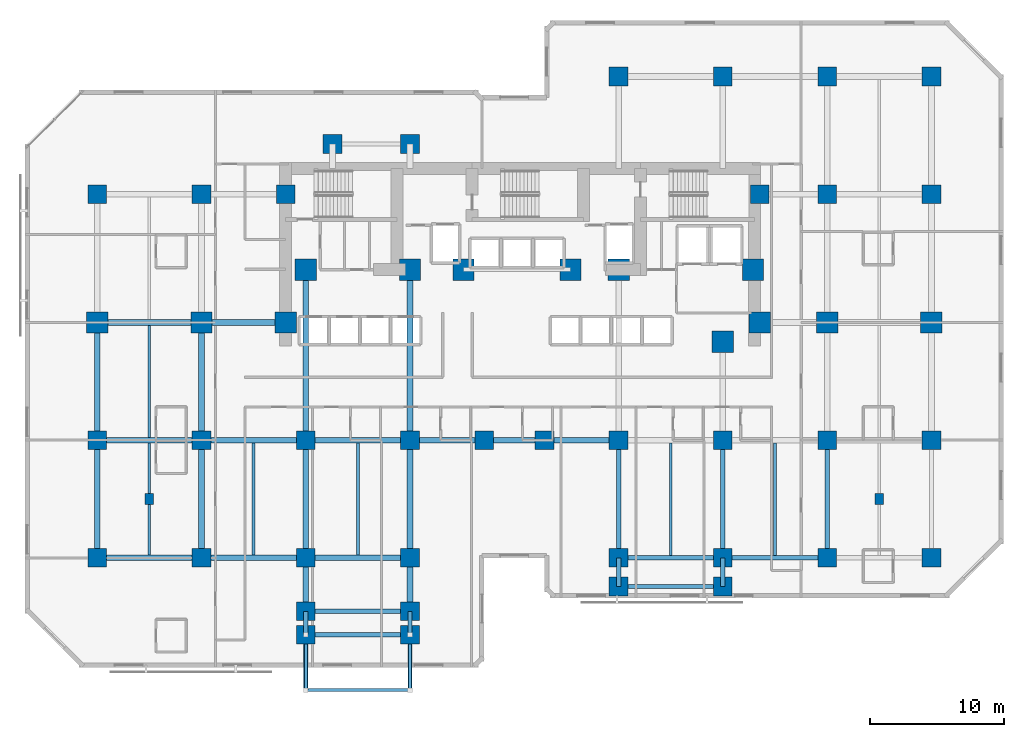
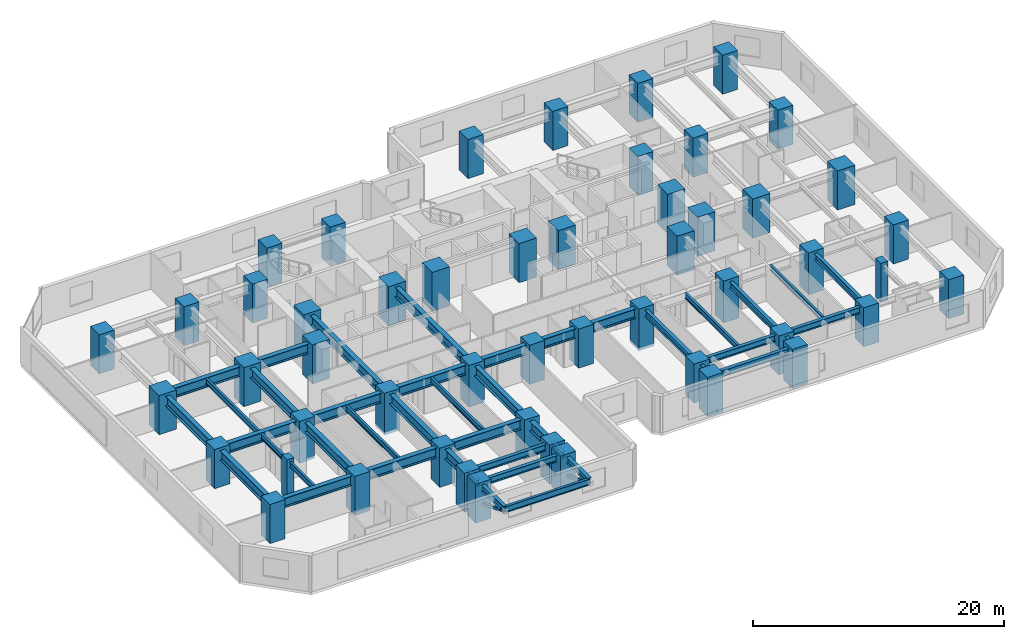
# One storey, part 1 of 12: 51 columns, 42 beams, 2 members.
"""IFC4 building model written with IfcOpenShell, lengths in metres."""

from ifc_helpers import new_model, si_unit, direction, frame, origin, origin_2d, place, context, subcontext, project, spatial, rectangle, hollow_rectangle, i_section, extrude, material, material_profile, profile_set, type_object, element, save


model = new_model("IFC4")

# Units and contexts
model_context = context("Model", 3, precision=1e-05, world=origin(), true_north=direction((0.0, 1.0)))
body_context = subcontext(model_context, "Body", "Model", "MODEL_VIEW")
ifc_project = project(units=[si_unit("LENGTHUNIT", "METRE"), si_unit("AREAUNIT", "SQUARE_METRE"), si_unit("VOLUMEUNIT", "CUBIC_METRE"), si_unit("PLANEANGLEUNIT", "RADIAN"), si_unit("MASSUNIT", "GRAM", prefix="KILO")], contexts=[model_context])

# Site, building, storey
site_placement = place(None, origin())
site = spatial("IfcSite", under=ifc_project, at=site_placement, CompositionType="ELEMENT")
building_placement = place(site_placement, origin())
building = spatial("IfcBuilding", under=site, at=building_placement, Name="Kestravale Grand Hotel", CompositionType="ELEMENT")
storey_placement = place(building_placement, frame((0.0, 0.0, 26.0)))
storey = spatial("IfcBuildingStorey", under=building, at=storey_placement, Name="L05", CompositionType="ELEMENT", Elevation=26.0)

# Columns
ifc_material_1 = material(Name="Concrete f'c 70 MPa", Category="concrete")
ifc_material_profile_1 = material_profile(ifc_material_1, rectangle(XDim=1.39990234375, YDim=1.39990234375, at=origin_2d()))
ifc_profile_set_1 = profile_set([ifc_material_profile_1], Name="Concrete f'c 70 MPa")
column_type_1 = type_object("IfcColumnType", Name="C-Z1-1400", PredefinedType="COLUMN", material=ifc_profile_set_1)
for number, where, z_axis, x_axis, name in (
    (1, (7.800048828125, 11.199951171875, 0.0), (0.0, 0.0, 1.0), (1.0, 0.0, 0.0), "L05 column 2-C"),
    (2, (7.800048828125, 20.0, 0.0), (0.0, 0.0, 1.0), (1.0, 0.0, 0.0), "L05 column 2-D"),
    (3, (7.800048828125, 38.39990234375, 0.0), (0.0, 0.0, 1.0), (1.0, 0.0, 0.0), "L05 column 2-F"),
    (4, (15.60009765625, 11.199951171875, 0.0), (0.0, 0.0, 1.0), (1.0, 0.0, 0.0), "L05 column 3-C"),
):
    element("IfcColumn", number, at=place(storey_placement, frame(where, z_axis=z_axis, x_axis=x_axis)), inside=storey, type_object=column_type_1, Name=name, PredefinedType="COLUMN", context=body_context, shape_type="SweptSolid", body=[
        extrude(rectangle(XDim=1.39990234375, YDim=1.39990234375, at=origin_2d()), origin(), (0.0, 0.0, 1.0), 3.800048828125),
    ])
column_1_placement = place(storey_placement, frame((15.60009765625, 20.0, -0.260009765625), z_axis=(0.0, 0.0, 1.0), x_axis=(1.0, 0.0, 0.0)))
element("IfcColumn", 5, at=column_1_placement, inside=storey, type_object=column_type_1, Name="L05 column 3-D", PredefinedType="COLUMN", context=body_context, shape_type="SweptSolid", body=[
    extrude(rectangle(XDim=1.39990234375, YDim=1.39990234375, at=origin_2d()), origin(), (0.0, 0.0, 1.0), 4.06005859375),
])
for number, where, z_axis, x_axis, name in (
    (6, (15.60009765625, 38.39990234375, 0.0), (0.0, 0.0, 1.0), (1.0, 0.0, 0.0), "L05 column 3-F"),
    (7, (23.39990234375, 11.199951171875, 0.0), (0.0, 0.0, 1.0), (1.0, 0.0, 0.0), "L05 column 4-C"),
):
    element("IfcColumn", number, at=place(storey_placement, frame(where, z_axis=z_axis, x_axis=x_axis)), inside=storey, type_object=column_type_1, Name=name, PredefinedType="COLUMN", context=body_context, shape_type="SweptSolid", body=[
        extrude(rectangle(XDim=1.39990234375, YDim=1.39990234375, at=origin_2d()), origin(), (0.0, 0.0, 1.0), 3.800048828125),
    ])
column_2_placement = place(storey_placement, frame((23.39990234375, 20.0, -0.260009765625), z_axis=(0.0, 0.0, 1.0), x_axis=(1.0, 0.0, 0.0)))
element("IfcColumn", 8, at=column_2_placement, inside=storey, type_object=column_type_1, Name="L05 column 4-D", PredefinedType="COLUMN", context=body_context, shape_type="SweptSolid", body=[
    extrude(rectangle(XDim=1.39990234375, YDim=1.39990234375, at=origin_2d()), origin(), (0.0, 0.0, 1.0), 4.06005859375),
])
column_3_placement = place(storey_placement, frame((31.199951171875, 11.199951171875, 0.0), z_axis=(0.0, 0.0, 1.0), x_axis=(1.0, 0.0, 0.0)))
element("IfcColumn", 9, at=column_3_placement, inside=storey, type_object=column_type_1, Name="L05 column 5-C", PredefinedType="COLUMN", context=body_context, shape_type="SweptSolid", body=[
    extrude(rectangle(XDim=1.39990234375, YDim=1.39990234375, at=origin_2d()), origin(), (0.0, 0.0, 1.0), 3.800048828125),
])
column_4_placement = place(storey_placement, frame((31.199951171875, 20.0, -0.260009765625), z_axis=(0.0, 0.0, 1.0), x_axis=(1.0, 0.0, 0.0)))
element("IfcColumn", 10, at=column_4_placement, inside=storey, type_object=column_type_1, Name="L05 column 5-D", PredefinedType="COLUMN", context=body_context, shape_type="SweptSolid", body=[
    extrude(rectangle(XDim=1.39990234375, YDim=1.39990234375, at=origin_2d()), origin(), (0.0, 0.0, 1.0), 4.06005859375),
])
for number, where, z_axis, x_axis, name in (
    (11, (36.75, 20.0, 0.0), (0.0, 0.0, 1.0), (1.0, 0.0, 0.0), "L05 column 6-D"),
    (12, (41.25, 20.0, 0.0), (0.0, 0.0, 1.0), (1.0, 0.0, 0.0), "L05 column 7-D"),
    (13, (46.800048828125, 11.199951171875, 0.0), (0.0, 0.0, 1.0), (1.0, 0.0, 0.0), "L05 column 8-C"),
):
    element("IfcColumn", number, at=place(storey_placement, frame(where, z_axis=z_axis, x_axis=x_axis)), inside=storey, type_object=column_type_1, Name=name, PredefinedType="COLUMN", context=body_context, shape_type="SweptSolid", body=[
        extrude(rectangle(XDim=1.39990234375, YDim=1.39990234375, at=origin_2d()), origin(), (0.0, 0.0, 1.0), 3.800048828125),
    ])
column_5_placement = place(storey_placement, frame((46.800048828125, 20.0, -0.260009765625), z_axis=(0.0, 0.0, 1.0), x_axis=(1.0, 0.0, 0.0)))
element("IfcColumn", 14, at=column_5_placement, inside=storey, type_object=column_type_1, Name="L05 column 8-D", PredefinedType="COLUMN", context=body_context, shape_type="SweptSolid", body=[
    extrude(rectangle(XDim=1.39990234375, YDim=1.39990234375, at=origin_2d()), origin(), (0.0, 0.0, 1.0), 4.06005859375),
])
for number, where, z_axis, x_axis, name in (
    (15, (46.800048828125, 47.199951171875, 0.0), (0.0, 0.0, 1.0), (1.0, 0.0, 0.0), "L05 column 8-G"),
    (16, (54.60009765625, 11.199951171875, 0.0), (0.0, 0.0, 1.0), (1.0, 0.0, 0.0), "L05 column 9-C"),
):
    element("IfcColumn", number, at=place(storey_placement, frame(where, z_axis=z_axis, x_axis=x_axis)), inside=storey, type_object=column_type_1, Name=name, PredefinedType="COLUMN", context=body_context, shape_type="SweptSolid", body=[
        extrude(rectangle(XDim=1.39990234375, YDim=1.39990234375, at=origin_2d()), origin(), (0.0, 0.0, 1.0), 3.800048828125),
    ])
column_6_placement = place(storey_placement, frame((54.60009765625, 20.0, -0.260009765625), z_axis=(0.0, 0.0, 1.0), x_axis=(1.0, 0.0, 0.0)))
element("IfcColumn", 17, at=column_6_placement, inside=storey, type_object=column_type_1, Name="L05 column 9-D", PredefinedType="COLUMN", context=body_context, shape_type="SweptSolid", body=[
    extrude(rectangle(XDim=1.39990234375, YDim=1.39990234375, at=origin_2d()), origin(), (0.0, 0.0, 1.0), 4.06005859375),
])
for number, where, z_axis, x_axis, name in (
    (18, (54.60009765625, 47.199951171875, 0.0), (0.0, 0.0, 1.0), (1.0, 0.0, 0.0), "L05 column 9-G"),
    (19, (62.39990234375, 11.199951171875, 0.0), (0.0, 0.0, 1.0), (1.0, 0.0, 0.0), "L05 column 10-C"),
):
    element("IfcColumn", number, at=place(storey_placement, frame(where, z_axis=z_axis, x_axis=x_axis)), inside=storey, type_object=column_type_1, Name=name, PredefinedType="COLUMN", context=body_context, shape_type="SweptSolid", body=[
        extrude(rectangle(XDim=1.39990234375, YDim=1.39990234375, at=origin_2d()), origin(), (0.0, 0.0, 1.0), 3.800048828125),
    ])
column_7_placement = place(storey_placement, frame((62.39990234375, 20.0, -0.260009765625), z_axis=(0.0, 0.0, 1.0), x_axis=(1.0, 0.0, 0.0)))
element("IfcColumn", 20, at=column_7_placement, inside=storey, type_object=column_type_1, Name="L05 column 10-D", PredefinedType="COLUMN", context=body_context, shape_type="SweptSolid", body=[
    extrude(rectangle(XDim=1.39990234375, YDim=1.39990234375, at=origin_2d()), origin(), (0.0, 0.0, 1.0), 4.06005859375),
])
for number, where, z_axis, x_axis, name in (
    (21, (62.39990234375, 38.39990234375, 0.0), (0.0, 0.0, 1.0), (1.0, 0.0, 0.0), "L05 column 10-F"),
    (22, (62.39990234375, 47.199951171875, 0.0), (0.0, 0.0, 1.0), (1.0, 0.0, 0.0), "L05 column 10-G"),
    (23, (70.199951171875, 11.199951171875, 0.0), (0.0, 0.0, 1.0), (1.0, 0.0, 0.0), "L05 column 11-C"),
    (24, (70.199951171875, 20.0, 0.0), (0.0, 0.0, 1.0), (1.0, 0.0, 0.0), "L05 column 11-D"),
    (25, (70.199951171875, 38.39990234375, 0.0), (0.0, 0.0, 1.0), (1.0, 0.0, 0.0), "L05 column 11-F"),
    (26, (70.199951171875, 47.199951171875, 0.0), (0.0, 0.0, 1.0), (1.0, 0.0, 0.0), "L05 column 11-G"),
    (27, (21.89990234375, 38.39990234375, 0.0), (0.0, 0.0, 1.0), (1.0, 0.0, 0.0), "L05 column CW-F"),
    (28, (57.35009765625, 38.39990234375, 0.0), (0.0, 0.0, 1.0), (1.0, 0.0, 0.0), "L05 column CE-F"),
    (29, (23.39990234375, 7.199951171875, 0.0), (0.0, 0.0, 1.0), (1.0, 0.0, 0.0), "L05 column 4-BS"),
    (30, (31.199951171875, 7.199951171875, 0.0), (0.0, 0.0, 1.0), (1.0, 0.0, 0.0), "L05 column 5-BS"),
    (31, (25.39990234375, 42.14990234375, 0.0), (0.0, 0.0, 1.0), (1.0, 0.0, 0.0), "L05 column 4-FN"),
    (32, (31.199951171875, 42.14990234375, 0.0), (0.0, 0.0, 1.0), (1.0, 0.0, 0.0), "L05 column 5-FN"),
    (33, (23.39990234375, 5.449951171875, 0.0), (0.0, 0.0, 1.0), (1.0, 0.0, 0.0), "L05 column 4-B1S"),
    (34, (31.199951171875, 5.449951171875, 0.0), (0.0, 0.0, 1.0), (1.0, 0.0, 0.0), "L05 column 5-B1S"),
    (35, (46.800048828125, 9.050048828125, 0.0), (0.0, 0.0, 1.0), (1.0, 0.0, 0.0), "L05 column 8-B1E"),
    (36, (54.60009765625, 9.050048828125, 0.0), (0.0, 0.0, 1.0), (1.0, 0.0, 0.0), "L05 column 9-B1E"),
):
    element("IfcColumn", number, at=place(storey_placement, frame(where, z_axis=z_axis, x_axis=x_axis)), inside=storey, type_object=column_type_1, Name=name, PredefinedType="COLUMN", context=body_context, shape_type="SweptSolid", body=[
        extrude(rectangle(XDim=1.39990234375, YDim=1.39990234375, at=origin_2d()), origin(), (0.0, 0.0, 1.0), 3.800048828125),
    ])
ifc_material_2 = material(Name="Concrete f'c 70 MPa", Category="concrete")
ifc_material_profile_2 = material_profile(ifc_material_2, rectangle(XDim=1.60009765625, YDim=1.60009765625, at=origin_2d()))
ifc_profile_set_2 = profile_set([ifc_material_profile_2], Name="Concrete f'c 70 MPa")
column_type_2 = type_object("IfcColumnType", Name="C-Z1-1600", PredefinedType="COLUMN", material=ifc_profile_set_2)
for number, where, z_axis, x_axis, name in (
    (37, (7.800048828125, 28.800048828125, 0.0), (0.0, 0.0, 1.0), (1.0, 0.0, 0.0), "L05 column 2-E"),
    (38, (15.60009765625, 28.800048828125, 0.0), (0.0, 0.0, 1.0), (1.0, 0.0, 0.0), "L05 column 3-E"),
    (39, (62.39990234375, 28.800048828125, 0.0), (0.0, 0.0, 1.0), (1.0, 0.0, 0.0), "L05 column 10-E"),
    (40, (70.199951171875, 28.800048828125, 0.0), (0.0, 0.0, 1.0), (1.0, 0.0, 0.0), "L05 column 11-E"),
    (41, (21.89990234375, 28.800048828125, 0.0), (0.0, 0.0, 1.0), (1.0, 0.0, 0.0), "L05 column CW-E"),
    (42, (57.35009765625, 28.800048828125, 0.0), (0.0, 0.0, 1.0), (1.0, 0.0, 0.0), "L05 column CE-E"),
    (43, (23.39990234375, 32.75, 0.0), (0.0, 0.0, 1.0), (1.0, 0.0, 0.0), "L05 column 4-CS"),
    (44, (31.199951171875, 32.75, 0.0), (0.0, 0.0, 1.0), (1.0, 0.0, 0.0), "L05 column 5-CS"),
    (45, (35.199951171875, 32.75, 0.0), (0.0, 0.0, 1.0), (1.0, 0.0, 0.0), "L05 column 6C-CS"),
    (46, (43.199951171875, 32.75, 0.0), (0.0, 0.0, 1.0), (1.0, 0.0, 0.0), "L05 column 7C-CS"),
    (47, (46.800048828125, 32.75, 0.0), (0.0, 0.0, 1.0), (1.0, 0.0, 0.0), "L05 column 8-CS"),
    (48, (54.60009765625, 27.35009765625, 0.0), (0.0, 0.0, 1.0), (1.0, 0.0, 0.0), "L05 column 9-CS"),
    (49, (56.85009765625, 32.75, 0.0), (0.0, 0.0, 1.0), (1.0, 0.0, 0.0), "L05 column 9C-CS"),
):
    element("IfcColumn", number, at=place(storey_placement, frame(where, z_axis=z_axis, x_axis=x_axis)), inside=storey, type_object=column_type_2, Name=name, PredefinedType="COLUMN", context=body_context, shape_type="SweptSolid", body=[
        extrude(rectangle(XDim=1.60009765625, YDim=1.60009765625, at=origin_2d()), origin(), (0.0, 0.0, 1.0), 3.800048828125),
    ])
ifc_material_3 = material(Name="Precast concrete f'c 45 MPa", Category="concrete")
ifc_material_profile_3 = material_profile(ifc_material_3, rectangle(XDim=0.64990234375, YDim=0.85009765625, at=origin_2d()))
ifc_profile_set_3 = profile_set([ifc_material_profile_3], Name="Precast concrete f'c 45 MPa")
column_type_3 = type_object("IfcColumnType", Name="C-Z1-PIL850", PredefinedType="PILASTER", material=ifc_profile_set_3)
for number, where, z_axis, x_axis, name in (
    (50, (11.699951171875, 15.60009765625, 0.0), (0.0, 0.0, 1.0), (1.0, 0.0, 0.0), "L05 Art Deco fluted pilaster P1"),
    (51, (66.300048828125, 15.60009765625, 0.0), (0.0, 0.0, 1.0), (1.0, 0.0, 0.0), "L05 Art Deco fluted pilaster P2"),
):
    element("IfcColumn", number, at=place(storey_placement, frame(where, z_axis=z_axis, x_axis=x_axis)), inside=storey, type_object=column_type_3, Name=name, PredefinedType="PILASTER", context=body_context, shape_type="SweptSolid", body=[
        extrude(rectangle(XDim=0.64990234375, YDim=0.85009765625, at=origin_2d()), origin(), (0.0, 0.0, 1.0), 3.800048828125),
    ])

# Beams
ifc_material_4 = material(Name="Steel ASTM A992 Grade 50", Category="steel")
ifc_material_profile_4 = material_profile(ifc_material_4, i_section(OverallWidth=0.2099609375, OverallDepth=0.535888671875, WebThickness=0.010986328125, FlangeThickness=0.017333984375, FilletRadius=0.017578125, at=origin_2d()))
ifc_profile_set_4 = profile_set([ifc_material_profile_4], Name="Steel ASTM A992 Grade 50")
beam_type_1 = type_object("IfcBeamType", Name="B-FLR-JST21", PredefinedType="JOIST", material=ifc_profile_set_4)
for number, where, z_axis, x_axis, name in (
    (52, (11.699951171875, 11.412109375, 3.27197265625), (0.0, 1.0, 0.0), (-1.0, 0.0, 0.0), "L05 floor joist 2-3/C-D #1"),
    (53, (11.699951171875, 20.2119140625, 3.27197265625), (0.0, 1.0, 0.0), (-1.0, 0.0, 0.0), "L05 floor joist 2-3/D-E #1"),
    (54, (19.5, 11.412109375, 3.27197265625), (0.0, 1.0, 0.0), (-1.0, 0.0, 0.0), "L05 floor joist 3-4/C-D #1"),
    (55, (27.300048828125, 11.412109375, 3.27197265625), (0.0, 1.0, 0.0), (-1.0, 0.0, 0.0), "L05 floor joist 4-5/C-D #1"),
):
    element("IfcBeam", number, at=place(storey_placement, frame(where, z_axis=z_axis, x_axis=x_axis)), inside=storey, type_object=beam_type_1, Name=name, PredefinedType="JOIST", context=body_context, shape_type="SweptSolid", body=[
        extrude(i_section(OverallWidth=0.2099609375, OverallDepth=0.535888671875, WebThickness=0.010986328125, FlangeThickness=0.017333984375, FilletRadius=0.017578125, at=origin_2d()), origin(), (0.0, 0.0, 1.0), 8.3759765625),
    ])
for number, where, z_axis, x_axis, name in (
    (56, (50.699951171875, 11.362548828125, 3.27197265625), (0.0, 1.0, 0.0), (-1.0, 0.0, 0.0), "L05 floor joist 8-9/C-D #1"),
    (57, (58.5, 11.362548828125, 3.27197265625), (0.0, 1.0, 0.0), (-1.0, 0.0, 0.0), "L05 floor joist 9-10/C-D #1"),
):
    element("IfcBeam", number, at=place(storey_placement, frame(where, z_axis=z_axis, x_axis=x_axis)), inside=storey, type_object=beam_type_1, Name=name, PredefinedType="JOIST", context=body_context, shape_type="SweptSolid", body=[
        extrude(i_section(OverallWidth=0.2099609375, OverallDepth=0.535888671875, WebThickness=0.010986328125, FlangeThickness=0.017333984375, FilletRadius=0.017578125, at=origin_2d()), origin(), (0.0, 0.0, 1.0), 8.425537109375),
    ])
ifc_material_5 = material(Name="Steel ASTM A992 Grade 50", Category="steel")
ifc_material_profile_5 = material_profile(ifc_material_5, i_section(OverallWidth=0.324951171875, OverallDepth=0.612060546875, WebThickness=0.0126953125, FlangeThickness=0.01904296875, FilletRadius=0.018798828125, at=origin_2d()))
ifc_profile_set_5 = profile_set([ifc_material_profile_5], Name="Steel ASTM A992 Grade 50")
beam_type_2 = type_object("IfcBeamType", Name="B-FLR-W24A", PredefinedType="SPANDREL", material=ifc_profile_set_5)
beam_1_placement = place(storey_placement, frame((46.800048828125, 11.199951171875, 3.23388671875), z_axis=(1.0, 0.0, 0.0), x_axis=(0.0, 1.0, 0.0)))
element("IfcBeam", 58, at=beam_1_placement, inside=storey, type_object=beam_type_2, Name="L05 spandrel C:8-9", PredefinedType="SPANDREL", context=body_context, shape_type="SweptSolid", body=[
    extrude(i_section(OverallWidth=0.324951171875, OverallDepth=0.612060546875, WebThickness=0.0126953125, FlangeThickness=0.01904296875, FilletRadius=0.018798828125, at=origin_2d()), origin(), (0.0, 0.0, 1.0), 7.800048828125),
])
beam_2_placement = place(storey_placement, frame((54.60009765625, 11.199951171875, 3.23388671875), z_axis=(1.0, 0.0, 0.0), x_axis=(0.0, 1.0, 0.0)))
element("IfcBeam", 59, at=beam_2_placement, inside=storey, type_object=beam_type_2, Name="L05 spandrel C:9-10", PredefinedType="SPANDREL", context=body_context, shape_type="SweptSolid", body=[
    extrude(i_section(OverallWidth=0.324951171875, OverallDepth=0.612060546875, WebThickness=0.0126953125, FlangeThickness=0.01904296875, FilletRadius=0.018798828125, at=origin_2d()), origin(), (0.0, 0.0, 1.0), 7.7998046875),
])
for number, where, z_axis, x_axis, name in (
    (60, (23.39990234375, 5.449951171875, 3.23388671875), (1.0, 0.0, 0.0), (0.0, 1.0, 0.0), "L05 perimeter tie spandrel B1S:4-5"),
    (61, (46.800048828125, 9.050048828125, 3.23388671875), (1.0, 0.0, 0.0), (0.0, 1.0, 0.0), "L05 perimeter tie spandrel B1E:8-9"),
    (62, (23.39990234375, 7.199951171875, 3.23388671875), (1.0, 0.0, 0.0), (0.0, 1.0, 0.0), "L05 perimeter tie spandrel BS:4-5"),
):
    element("IfcBeam", number, at=place(storey_placement, frame(where, z_axis=z_axis, x_axis=x_axis)), inside=storey, type_object=beam_type_2, Name=name, PredefinedType="SPANDREL", context=body_context, shape_type="SweptSolid", body=[
        extrude(i_section(OverallWidth=0.324951171875, OverallDepth=0.612060546875, WebThickness=0.0126953125, FlangeThickness=0.01904296875, FilletRadius=0.018798828125, at=origin_2d()), origin(), (0.0, 0.0, 1.0), 7.800048828125),
    ])
for number, where, z_axis, x_axis, name in (
    (63, (23.39990234375, 5.449951171875, 3.23388671875), (0.0, 1.0, 0.0), (-1.0, 0.0, 0.0), "L05 spandrel 4:B1S-BS"),
    (64, (31.199951171875, 5.449951171875, 3.23388671875), (0.0, 1.0, 0.0), (-1.0, 0.0, 0.0), "L05 spandrel 5:B1S-BS"),
):
    element("IfcBeam", number, at=place(storey_placement, frame(where, z_axis=z_axis, x_axis=x_axis)), inside=storey, type_object=beam_type_2, Name=name, PredefinedType="SPANDREL", context=body_context, shape_type="SweptSolid", body=[
        extrude(i_section(OverallWidth=0.324951171875, OverallDepth=0.612060546875, WebThickness=0.0126953125, FlangeThickness=0.01904296875, FilletRadius=0.018798828125, at=origin_2d()), origin(), (0.0, 0.0, 1.0), 1.75),
    ])
beam_3_placement = place(storey_placement, frame((46.800048828125, 9.050048828125, 3.23388671875), z_axis=(0.0, 1.0, 0.0), x_axis=(-1.0, 0.0, 0.0)))
element("IfcBeam", 65, at=beam_3_placement, inside=storey, type_object=beam_type_2, Name="L05 spandrel 8:B1E-C", PredefinedType="SPANDREL", context=body_context, shape_type="SweptSolid", body=[
    extrude(i_section(OverallWidth=0.324951171875, OverallDepth=0.612060546875, WebThickness=0.0126953125, FlangeThickness=0.01904296875, FilletRadius=0.018798828125, at=origin_2d()), origin(), (0.0, 0.0, 1.0), 2.14990234375),
])
beam_4_placement = place(storey_placement, frame((46.800048828125, 11.199951171875, 3.23388671875), z_axis=(0.0, 1.0, 0.0), x_axis=(-1.0, 0.0, 0.0)))
element("IfcBeam", 66, at=beam_4_placement, inside=storey, type_object=beam_type_2, Name="L05 spandrel 8:C-D", PredefinedType="SPANDREL", context=body_context, shape_type="SweptSolid", body=[
    extrude(i_section(OverallWidth=0.324951171875, OverallDepth=0.612060546875, WebThickness=0.0126953125, FlangeThickness=0.01904296875, FilletRadius=0.018798828125, at=origin_2d()), origin(), (0.0, 0.0, 1.0), 8.800048828125),
])
beam_5_placement = place(storey_placement, frame((54.60009765625, 9.050048828125, 3.23388671875), z_axis=(0.0, 1.0, 0.0), x_axis=(-1.0, 0.0, 0.0)))
element("IfcBeam", 67, at=beam_5_placement, inside=storey, type_object=beam_type_2, Name="L05 spandrel 9:B1E-C", PredefinedType="SPANDREL", context=body_context, shape_type="SweptSolid", body=[
    extrude(i_section(OverallWidth=0.324951171875, OverallDepth=0.612060546875, WebThickness=0.0126953125, FlangeThickness=0.01904296875, FilletRadius=0.018798828125, at=origin_2d()), origin(), (0.0, 0.0, 1.0), 2.14990234375),
])
for number, where, z_axis, x_axis, name in (
    (68, (54.60009765625, 11.199951171875, 3.23388671875), (0.0, 1.0, 0.0), (-1.0, 0.0, 0.0), "L05 spandrel 9:C-D"),
    (69, (62.39990234375, 11.199951171875, 3.23388671875), (0.0, 1.0, 0.0), (-1.0, 0.0, 0.0), "L05 spandrel 10:C-D"),
):
    element("IfcBeam", number, at=place(storey_placement, frame(where, z_axis=z_axis, x_axis=x_axis)), inside=storey, type_object=beam_type_2, Name=name, PredefinedType="SPANDREL", context=body_context, shape_type="SweptSolid", body=[
        extrude(i_section(OverallWidth=0.324951171875, OverallDepth=0.612060546875, WebThickness=0.0126953125, FlangeThickness=0.01904296875, FilletRadius=0.018798828125, at=origin_2d()), origin(), (0.0, 0.0, 1.0), 8.800048828125),
    ])
for number, where, z_axis, x_axis, name in (
    (70, (23.39990234375, 5.449951171875, 3.22412109375), (0.0, -1.0, 0.0), (1.0, 0.0, 0.0), "L06 terrace cantilever beam 1"),
    (71, (31.199951171875, 5.449951171875, 3.22412109375), (0.0, -1.0, 0.0), (1.0, 0.0, 0.0), "L06 terrace cantilever beam 2"),
):
    element("IfcBeam", number, at=place(storey_placement, frame(where, z_axis=z_axis, x_axis=x_axis)), inside=storey, type_object=beam_type_2, Name=name, PredefinedType="SPANDREL", context=body_context, shape_type="SweptSolid", body=[
        extrude(i_section(OverallWidth=0.324951171875, OverallDepth=0.612060546875, WebThickness=0.0126953125, FlangeThickness=0.01904296875, FilletRadius=0.018798828125, at=origin_2d()), origin(), (0.0, 0.0, 1.0), 4.14990234375),
    ])
ifc_material_6 = material(Name="Steel ASTM A992 Grade 50", Category="steel")
ifc_material_profile_6 = material_profile(ifc_material_6, i_section(OverallWidth=0.22900390625, OverallDepth=0.612060546875, WebThickness=0.011962890625, FlangeThickness=0.01953125, FilletRadius=0.019287109375, at=origin_2d()))
ifc_profile_set_6 = profile_set([ifc_material_profile_6], Name="Steel ASTM A992 Grade 50")
beam_type_3 = type_object("IfcBeamType", Name="B-FLR-W24B", PredefinedType="SPANDREL", material=ifc_profile_set_6)
beam_6_placement = place(storey_placement, frame((23.39990234375, 1.300048828125, 3.22412109375), z_axis=(1.0, 0.0, 0.0), x_axis=(0.0, 1.0, 0.0)))
element("IfcBeam", 72, at=beam_6_placement, inside=storey, type_object=beam_type_3, Name="L06 terrace edge spandrel", PredefinedType="SPANDREL", context=body_context, shape_type="SweptSolid", body=[
    extrude(i_section(OverallWidth=0.22900390625, OverallDepth=0.612060546875, WebThickness=0.011962890625, FlangeThickness=0.01953125, FilletRadius=0.019287109375, at=origin_2d()), origin(), (0.0, 0.0, 1.0), 7.800048828125),
])
ifc_material_7 = material(Name="Steel ASTM A992 Grade 50", Category="steel")
ifc_material_profile_7 = material_profile(ifc_material_7, i_section(OverallWidth=0.424072265625, OverallDepth=0.947021484375, WebThickness=0.02392578125, FlangeThickness=0.042724609375, FilletRadius=0.0283203125, at=origin_2d()))
ifc_profile_set_7 = profile_set([ifc_material_profile_7], Name="Steel ASTM A992 Grade 50")
beam_type_4 = type_object("IfcBeamType", Name="B-GRD-W36", PredefinedType="BEAM", material=ifc_profile_set_7)
beam_7_placement = place(storey_placement, frame((7.800048828125, 11.199951171875, 3.06640625), z_axis=(1.0, 0.0, 0.0), x_axis=(0.0, 1.0, 0.0)))
element("IfcBeam", 73, at=beam_7_placement, inside=storey, type_object=beam_type_4, Name="L05 girder C:2-3", PredefinedType="BEAM", context=body_context, shape_type="SweptSolid", body=[
    extrude(i_section(OverallWidth=0.424072265625, OverallDepth=0.947021484375, WebThickness=0.02392578125, FlangeThickness=0.042724609375, FilletRadius=0.0283203125, at=origin_2d()), origin(), (0.0, 0.0, 1.0), 7.800048828125),
])
beam_8_placement = place(storey_placement, frame((15.60009765625, 11.199951171875, 3.06640625), z_axis=(1.0, 0.0, 0.0), x_axis=(0.0, 1.0, 0.0)))
element("IfcBeam", 74, at=beam_8_placement, inside=storey, type_object=beam_type_4, Name="L05 girder C:3-4", PredefinedType="BEAM", context=body_context, shape_type="SweptSolid", body=[
    extrude(i_section(OverallWidth=0.424072265625, OverallDepth=0.947021484375, WebThickness=0.02392578125, FlangeThickness=0.042724609375, FilletRadius=0.0283203125, at=origin_2d()), origin(), (0.0, 0.0, 1.0), 7.7998046875),
])
for number, where, z_axis, x_axis, name in (
    (75, (23.39990234375, 11.199951171875, 3.06640625), (1.0, 0.0, 0.0), (0.0, 1.0, 0.0), "L05 girder C:4-5"),
    (76, (7.800048828125, 20.0, 3.06640625), (1.0, 0.0, 0.0), (0.0, 1.0, 0.0), "L05 girder D:2-3"),
):
    element("IfcBeam", number, at=place(storey_placement, frame(where, z_axis=z_axis, x_axis=x_axis)), inside=storey, type_object=beam_type_4, Name=name, PredefinedType="BEAM", context=body_context, shape_type="SweptSolid", body=[
        extrude(i_section(OverallWidth=0.424072265625, OverallDepth=0.947021484375, WebThickness=0.02392578125, FlangeThickness=0.042724609375, FilletRadius=0.0283203125, at=origin_2d()), origin(), (0.0, 0.0, 1.0), 7.800048828125),
    ])
beam_9_placement = place(storey_placement, frame((15.60009765625, 20.0, 3.06640625), z_axis=(1.0, 0.0, 0.0), x_axis=(0.0, 1.0, 0.0)))
element("IfcBeam", 77, at=beam_9_placement, inside=storey, type_object=beam_type_4, Name="L05 girder D:3-4", PredefinedType="BEAM", context=body_context, shape_type="SweptSolid", body=[
    extrude(i_section(OverallWidth=0.424072265625, OverallDepth=0.947021484375, WebThickness=0.02392578125, FlangeThickness=0.042724609375, FilletRadius=0.0283203125, at=origin_2d()), origin(), (0.0, 0.0, 1.0), 7.7998046875),
])
beam_10_placement = place(storey_placement, frame((23.39990234375, 20.0, 3.06640625), z_axis=(1.0, 0.0, 0.0), x_axis=(0.0, 1.0, 0.0)))
element("IfcBeam", 78, at=beam_10_placement, inside=storey, type_object=beam_type_4, Name="L05 girder D:4-5", PredefinedType="BEAM", context=body_context, shape_type="SweptSolid", body=[
    extrude(i_section(OverallWidth=0.424072265625, OverallDepth=0.947021484375, WebThickness=0.02392578125, FlangeThickness=0.042724609375, FilletRadius=0.0283203125, at=origin_2d()), origin(), (0.0, 0.0, 1.0), 7.800048828125),
])
beam_11_placement = place(storey_placement, frame((31.199951171875, 20.0, 3.06640625), z_axis=(1.0, 0.0, 0.0), x_axis=(0.0, 1.0, 0.0)))
element("IfcBeam", 79, at=beam_11_placement, inside=storey, type_object=beam_type_4, Name="L05 girder D:5-6", PredefinedType="BEAM", context=body_context, shape_type="SweptSolid", body=[
    extrude(i_section(OverallWidth=0.424072265625, OverallDepth=0.947021484375, WebThickness=0.02392578125, FlangeThickness=0.042724609375, FilletRadius=0.0283203125, at=origin_2d()), origin(), (0.0, 0.0, 1.0), 5.550048828125),
])
beam_12_placement = place(storey_placement, frame((36.75, 20.0, 3.06640625), z_axis=(1.0, 0.0, 0.0), x_axis=(0.0, 1.0, 0.0)))
element("IfcBeam", 80, at=beam_12_placement, inside=storey, type_object=beam_type_4, Name="L05 girder D:6-7", PredefinedType="BEAM", context=body_context, shape_type="SweptSolid", body=[
    extrude(i_section(OverallWidth=0.424072265625, OverallDepth=0.947021484375, WebThickness=0.02392578125, FlangeThickness=0.042724609375, FilletRadius=0.0283203125, at=origin_2d()), origin(), (0.0, 0.0, 1.0), 4.5),
])
beam_13_placement = place(storey_placement, frame((41.25, 20.0, 3.06640625), z_axis=(1.0, 0.0, 0.0), x_axis=(0.0, 1.0, 0.0)))
element("IfcBeam", 81, at=beam_13_placement, inside=storey, type_object=beam_type_4, Name="L05 girder D:7-8", PredefinedType="BEAM", context=body_context, shape_type="SweptSolid", body=[
    extrude(i_section(OverallWidth=0.424072265625, OverallDepth=0.947021484375, WebThickness=0.02392578125, FlangeThickness=0.042724609375, FilletRadius=0.0283203125, at=origin_2d()), origin(), (0.0, 0.0, 1.0), 5.550048828125),
])
beam_14_placement = place(storey_placement, frame((7.800048828125, 28.800048828125, 3.06640625), z_axis=(1.0, 0.0, 0.0), x_axis=(0.0, 1.0, 0.0)))
element("IfcBeam", 82, at=beam_14_placement, inside=storey, type_object=beam_type_4, Name="L05 girder E:2-3", PredefinedType="BEAM", context=body_context, shape_type="SweptSolid", body=[
    extrude(i_section(OverallWidth=0.424072265625, OverallDepth=0.947021484375, WebThickness=0.02392578125, FlangeThickness=0.042724609375, FilletRadius=0.0283203125, at=origin_2d()), origin(), (0.0, 0.0, 1.0), 7.800048828125),
])
beam_15_placement = place(storey_placement, frame((15.60009765625, 28.800048828125, 3.06640625), z_axis=(1.0, 0.0, 0.0), x_axis=(0.0, 1.0, 0.0)))
element("IfcBeam", 83, at=beam_15_placement, inside=storey, type_object=beam_type_4, Name="L05 girder E:3-CW", PredefinedType="BEAM", context=body_context, shape_type="SweptSolid", body=[
    extrude(i_section(OverallWidth=0.424072265625, OverallDepth=0.947021484375, WebThickness=0.02392578125, FlangeThickness=0.042724609375, FilletRadius=0.0283203125, at=origin_2d()), origin(), (0.0, 0.0, 1.0), 6.2998046875),
])
for number, where, z_axis, x_axis, name in (
    (84, (7.800048828125, 11.199951171875, 3.06640625), (0.0, 1.0, 0.0), (-1.0, 0.0, 0.0), "L05 girder 2:C-D"),
    (85, (7.800048828125, 20.0, 3.06640625), (0.0, 1.0, 0.0), (-1.0, 0.0, 0.0), "L05 girder 2:D-E"),
    (86, (15.60009765625, 11.199951171875, 3.06640625), (0.0, 1.0, 0.0), (-1.0, 0.0, 0.0), "L05 girder 3:C-D"),
    (87, (15.60009765625, 20.0, 3.06640625), (0.0, 1.0, 0.0), (-1.0, 0.0, 0.0), "L05 girder 3:D-E"),
):
    element("IfcBeam", number, at=place(storey_placement, frame(where, z_axis=z_axis, x_axis=x_axis)), inside=storey, type_object=beam_type_4, Name=name, PredefinedType="BEAM", context=body_context, shape_type="SweptSolid", body=[
        extrude(i_section(OverallWidth=0.424072265625, OverallDepth=0.947021484375, WebThickness=0.02392578125, FlangeThickness=0.042724609375, FilletRadius=0.0283203125, at=origin_2d()), origin(), (0.0, 0.0, 1.0), 8.800048828125),
    ])
beam_16_placement = place(storey_placement, frame((23.39990234375, 7.199951171875, 3.06640625), z_axis=(0.0, 1.0, 0.0), x_axis=(-1.0, 0.0, 0.0)))
element("IfcBeam", 88, at=beam_16_placement, inside=storey, type_object=beam_type_4, Name="L05 girder 4:BS-C", PredefinedType="BEAM", context=body_context, shape_type="SweptSolid", body=[
    extrude(i_section(OverallWidth=0.424072265625, OverallDepth=0.947021484375, WebThickness=0.02392578125, FlangeThickness=0.042724609375, FilletRadius=0.0283203125, at=origin_2d()), origin(), (0.0, 0.0, 1.0), 4.0),
])
beam_17_placement = place(storey_placement, frame((23.39990234375, 11.199951171875, 3.06640625), z_axis=(0.0, 1.0, 0.0), x_axis=(-1.0, 0.0, 0.0)))
element("IfcBeam", 89, at=beam_17_placement, inside=storey, type_object=beam_type_4, Name="L05 girder 4:C-D", PredefinedType="BEAM", context=body_context, shape_type="SweptSolid", body=[
    extrude(i_section(OverallWidth=0.424072265625, OverallDepth=0.947021484375, WebThickness=0.02392578125, FlangeThickness=0.042724609375, FilletRadius=0.0283203125, at=origin_2d()), origin(), (0.0, 0.0, 1.0), 8.800048828125),
])
beam_18_placement = place(storey_placement, frame((23.39990234375, 20.0, 3.06640625), z_axis=(0.0, 1.0, 0.0), x_axis=(-1.0, 0.0, 0.0)))
element("IfcBeam", 90, at=beam_18_placement, inside=storey, type_object=beam_type_4, Name="L05 girder 4:D-CS", PredefinedType="BEAM", context=body_context, shape_type="SweptSolid", body=[
    extrude(i_section(OverallWidth=0.424072265625, OverallDepth=0.947021484375, WebThickness=0.02392578125, FlangeThickness=0.042724609375, FilletRadius=0.0283203125, at=origin_2d()), origin(), (0.0, 0.0, 1.0), 12.75),
])
beam_19_placement = place(storey_placement, frame((31.199951171875, 7.199951171875, 3.06640625), z_axis=(0.0, 1.0, 0.0), x_axis=(-1.0, 0.0, 0.0)))
element("IfcBeam", 91, at=beam_19_placement, inside=storey, type_object=beam_type_4, Name="L05 girder 5:BS-C", PredefinedType="BEAM", context=body_context, shape_type="SweptSolid", body=[
    extrude(i_section(OverallWidth=0.424072265625, OverallDepth=0.947021484375, WebThickness=0.02392578125, FlangeThickness=0.042724609375, FilletRadius=0.0283203125, at=origin_2d()), origin(), (0.0, 0.0, 1.0), 4.0),
])
beam_20_placement = place(storey_placement, frame((31.199951171875, 11.199951171875, 3.06640625), z_axis=(0.0, 1.0, 0.0), x_axis=(-1.0, 0.0, 0.0)))
element("IfcBeam", 92, at=beam_20_placement, inside=storey, type_object=beam_type_4, Name="L05 girder 5:C-D", PredefinedType="BEAM", context=body_context, shape_type="SweptSolid", body=[
    extrude(i_section(OverallWidth=0.424072265625, OverallDepth=0.947021484375, WebThickness=0.02392578125, FlangeThickness=0.042724609375, FilletRadius=0.0283203125, at=origin_2d()), origin(), (0.0, 0.0, 1.0), 8.800048828125),
])
beam_21_placement = place(storey_placement, frame((31.199951171875, 20.0, 3.06640625), z_axis=(0.0, 1.0, 0.0), x_axis=(-1.0, 0.0, 0.0)))
element("IfcBeam", 93, at=beam_21_placement, inside=storey, type_object=beam_type_4, Name="L05 girder 5:D-CS", PredefinedType="BEAM", context=body_context, shape_type="SweptSolid", body=[
    extrude(i_section(OverallWidth=0.424072265625, OverallDepth=0.947021484375, WebThickness=0.02392578125, FlangeThickness=0.042724609375, FilletRadius=0.0283203125, at=origin_2d()), origin(), (0.0, 0.0, 1.0), 12.75),
])

# Members
ifc_material_8 = material(Name="Steel ASTM A500 Grade C", Category="steel")
ifc_material_profile_8 = material_profile(ifc_material_8, hollow_rectangle(XDim=0.25, YDim=0.25, WallThickness=0.011962890625, InnerFilletRadius=0.011962890625, OuterFilletRadius=0.02392578125, at=origin_2d()))
ifc_profile_set_8 = profile_set([ifc_material_profile_8], Name="Steel ASTM A500 Grade C")
member_type = type_object("IfcMemberType", Name="M-BLT-STR250", PredefinedType="STRUT", material=ifc_profile_set_8)
for number, where, z_axis, x_axis, name in (
    (94, (23.39990234375, 5.449951171875, 1.3740234375), (0.0, -0.925369949496, 0.379065240519), (1.0, 0.0, 0.0), "L06 terrace knee-brace strut 1"),
    (95, (31.199951171875, 5.449951171875, 1.3740234375), (0.0, -0.925369949496, 0.379065240519), (1.0, 0.0, 0.0), "L06 terrace knee-brace strut 2"),
):
    element("IfcMember", number, at=place(storey_placement, frame(where, z_axis=z_axis, x_axis=x_axis)), inside=storey, type_object=member_type, Name=name, PredefinedType="STRUT", context=body_context, shape_type="SweptSolid", body=[
        extrude(hollow_rectangle(XDim=0.25, YDim=0.25, WallThickness=0.011962890625, InnerFilletRadius=0.011962890625, OuterFilletRadius=0.02392578125, at=origin_2d()), origin(), (0.0, 0.0, 1.0), 4.484619140625),
    ])

save(model, "model.ifc")
